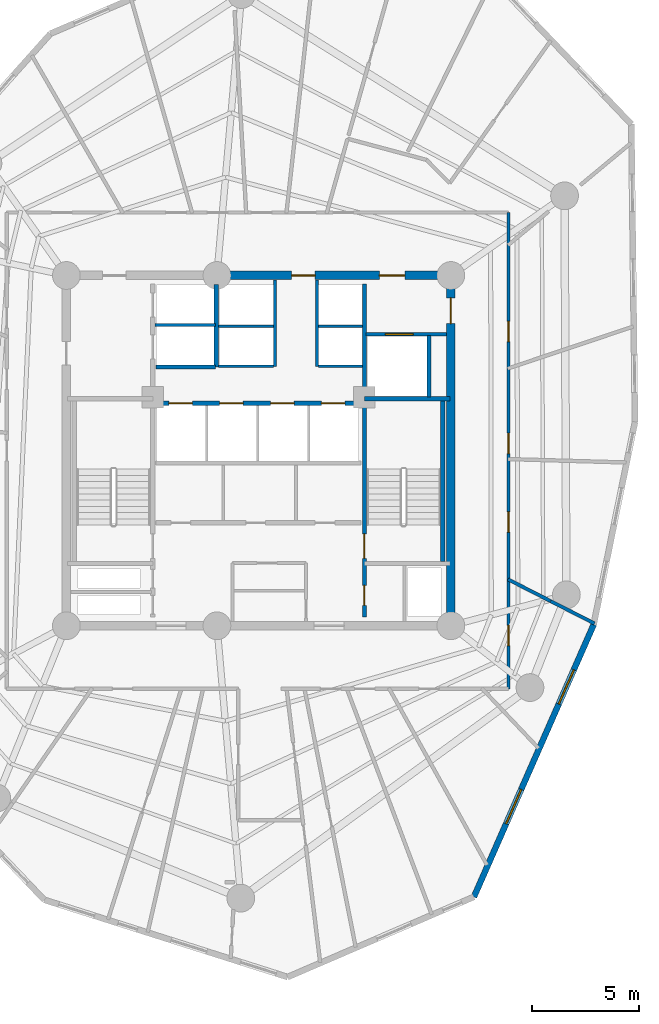
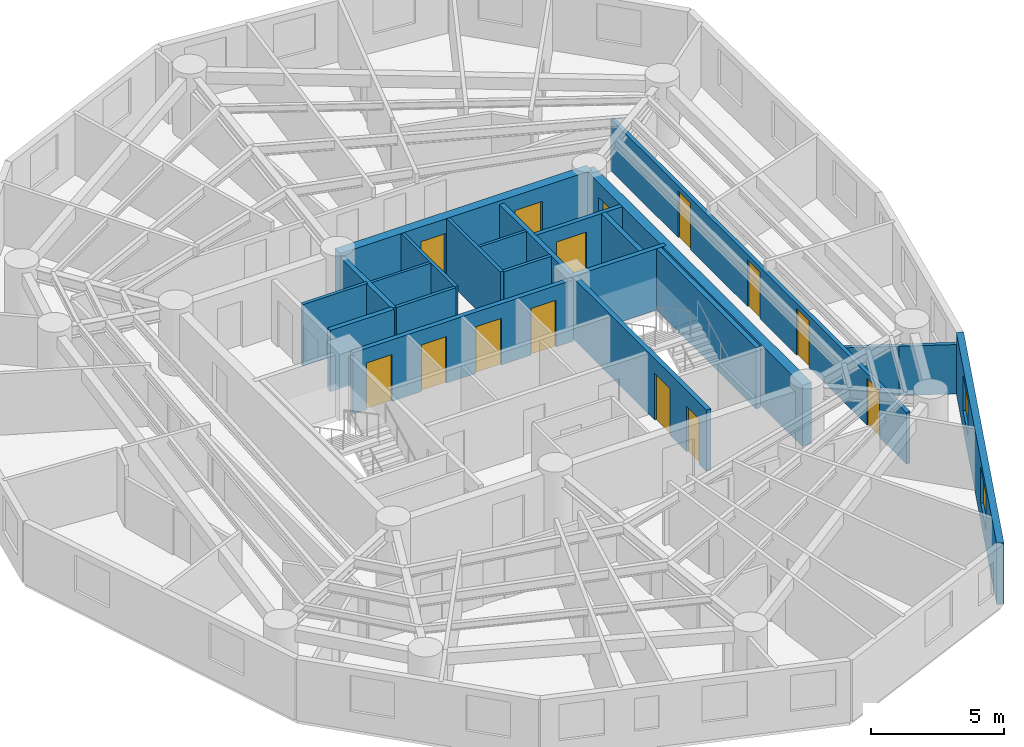
# One storey, part 5 of 8: 21 walls, 14 doors, 2 windows, 16 openings.
"""IFC4 building model written with IfcOpenShell, lengths in metres."""

import ifcopenshell
import ifcopenshell.guid

model = None  # the IFC model being written
_history = None  # IfcOwnerHistory: only IFC2X3 demands one
_inside = {}  # id of a spatial element -> (the spatial element, [elements in it])
_under = {}  # id of a project, library or spatial element -> (it, [spatial elements below it])
_declared = {}  # id of a project -> (the project, [libraries it declares])
_typed = {}  # id of a type object -> (the type object, [elements of that type])
_made_of = {}  # id of a material, layer set ... -> (it, [elements and type objects made of it])


def new_model(schema):
    """Start an empty IFC model of exactly this schema.

    Asked for "IFC4X3", IfcOpenShell would pick the latest addendum, in which some entities
    have other attributes; the version numbers below select the first issue.
    IFC2X3 requires an IfcOwnerHistory on every rooted entity: one is made here for all.
    """
    global model, _history
    if schema == "IFC4X3":
        model = ifcopenshell.file(schema_version=(4, 3, 0, 0))
    else:
        model = ifcopenshell.file(schema=schema)
    _inside.clear()
    _under.clear()
    _declared.clear()
    _typed.clear()
    _made_of.clear()
    _history = None
    if model.schema == "IFC2X3":
        org = make("IfcOrganization", Name="unknown")
        user = make(
            "IfcPersonAndOrganization",
            ThePerson=make("IfcPerson", FamilyName="unknown"),
            TheOrganization=org,
        )
        app = make(
            "IfcApplication",
            ApplicationDeveloper=org,
            Version="unknown",
            ApplicationFullName="unknown",
            ApplicationIdentifier="unknown",
        )
        _history = make(
            "IfcOwnerHistory",
            OwningUser=user,
            OwningApplication=app,
            ChangeAction="ADDED",
            CreationDate=0,
        )
    return model


def make(cls, **values):
    """One entity of the class cls with the attributes given. An attribute that is None is left unset."""
    return model.create_entity(
        cls, **{name: value for name, value in values.items() if value is not None}
    )


def rooted(cls, **values):
    """An entity with a GlobalId (a new one), such as an element, a storey or a relation."""
    return make(cls, GlobalId=ifcopenshell.guid.new(), OwnerHistory=_history, **values)


def si_unit(unit_type, name, prefix=None):
    """IfcSIUnit, for example si_unit("LENGTHUNIT", "METRE", prefix="MILLI")."""
    return make("IfcSIUnit", UnitType=unit_type, Prefix=prefix, Name=name)


def assignment(units):
    """IfcUnitAssignment: the units of a project."""
    return None if units is None else make("IfcUnitAssignment", Units=units)


def point(xyz):
    """IfcCartesianPoint."""
    return None if xyz is None else make("IfcCartesianPoint", Coordinates=xyz)


def direction(xyz):
    """IfcDirection."""
    return None if xyz is None else make("IfcDirection", DirectionRatios=xyz)


def frame(location, z_axis=None, x_axis=None):
    """IfcAxis2Placement3D, a coordinate frame: its origin and axes. An axis left out is left unset."""
    return make(
        "IfcAxis2Placement3D",
        Location=point(location),
        Axis=direction(z_axis),
        RefDirection=direction(x_axis),
    )


def frame_2d(location, x_axis=None):
    """IfcAxis2Placement2D, a coordinate frame in the plane: its origin and x axis."""
    return make(
        "IfcAxis2Placement2D", Location=point(location), RefDirection=direction(x_axis)
    )


def origin():
    """The frame at (0, 0, 0) with its axes left unset."""
    return frame((0.0, 0.0, 0.0))


def origin_with_axes():
    """The frame at (0, 0, 0) with the z axis (0, 0, 1) and the x axis (1, 0, 0) written out."""
    return frame((0.0, 0.0, 0.0), z_axis=(0.0, 0.0, 1.0), x_axis=(1.0, 0.0, 0.0))


def place(relative_to, where):
    """IfcLocalPlacement: puts the frame where relative to a parent placement (None: the world)."""
    return make(
        "IfcLocalPlacement", PlacementRelTo=relative_to, RelativePlacement=where
    )


def context(
    kind, dimensions, precision=None, world=None, true_north=None, identifier=None
):
    """IfcGeometricRepresentationContext, for example the 3D "Model" context."""
    return make(
        "IfcGeometricRepresentationContext",
        ContextIdentifier=identifier,
        ContextType=kind,
        CoordinateSpaceDimension=dimensions,
        Precision=precision,
        WorldCoordinateSystem=world,
        TrueNorth=true_north,
    )


def subcontext(parent, identifier, kind, view, scale=None):
    """IfcGeometricRepresentationSubContext, for example "Body" below "Model"."""
    return make(
        "IfcGeometricRepresentationSubContext",
        ContextIdentifier=identifier,
        ContextType=kind,
        ParentContext=parent,
        TargetScale=scale,
        TargetView=view,
    )


def project(units=None, contexts=None):
    """IfcProject with its units and contexts."""
    return rooted(
        "IfcProject",
        Name="project",
        RepresentationContexts=contexts,
        UnitsInContext=assignment(units),
    )


def spatial(cls, under=None, at=None, **own):
    """A site, building, storey or space (cls), placed at a placement, below another one or the project."""
    s = rooted(cls, ObjectPlacement=at, **own)
    if under is not None:
        _under.setdefault(under.id(), (under, []))[1].append(s)
    return s


def profile(cls, at=None, kind="AREA", **sizes):
    """A parametric profile (cls). Its sizes go by their IFC names, for example OverallWidth=200.0."""
    return make(cls, ProfileType=kind, Position=at, **sizes)


def rectangle(**sizes):
    """IfcRectangleProfileDef."""
    return profile("IfcRectangleProfileDef", **sizes)


def extrude(swept, where, along, depth):
    """IfcExtrudedAreaSolid: the profile swept, set in the frame where, extruded along a direction by depth."""
    return make(
        "IfcExtrudedAreaSolid",
        SweptArea=swept,
        Position=where,
        ExtrudedDirection=direction(along),
        Depth=depth,
    )


def shape(context_of_items, identifier, shape_type, items):
    """IfcShapeRepresentation: the items that make up one representation, for example the "Body"."""
    return make(
        "IfcShapeRepresentation",
        ContextOfItems=context_of_items,
        RepresentationIdentifier=identifier,
        RepresentationType=shape_type,
        Items=items,
    )


def source(mapping_origin, context_of_items, identifier, shape_type, items):
    """IfcRepresentationMap: a shape defined once, which mapped items show again and again."""
    return make(
        "IfcRepresentationMap",
        MappingOrigin=mapping_origin,
        MappedRepresentation=shape(context_of_items, identifier, shape_type, items),
    )


def transform(
    local_origin,
    x_axis=None,
    y_axis=None,
    z_axis=None,
    scale=None,
    scale2=None,
    scale3=None,
    uniform=True,
):
    """IfcCartesianTransformationOperator3D, or its non-uniform kind. x_axis, y_axis, z_axis: its Axis1, 2, 3."""
    if uniform:
        return make(
            "IfcCartesianTransformationOperator3D",
            Axis1=direction(x_axis),
            Axis2=direction(y_axis),
            LocalOrigin=point(local_origin),
            Scale=scale,
            Axis3=direction(z_axis),
        )
    return make(
        "IfcCartesianTransformationOperator3DnonUniform",
        Axis1=direction(x_axis),
        Axis2=direction(y_axis),
        LocalOrigin=point(local_origin),
        Scale=scale,
        Axis3=direction(z_axis),
        Scale2=scale2,
        Scale3=scale3,
    )


def mapped(mapping_source, mapping_target):
    """IfcMappedItem: shows the shape of a source again, moved by a transform."""
    return make(
        "IfcMappedItem", MappingSource=mapping_source, MappingTarget=mapping_target
    )


def material(Name=None, Category=None):
    """IfcMaterial."""
    return make("IfcMaterial", Name=Name, Category=Category)


def layer(
    of_material, thickness, ventilated=None, Name=None, Category=None, Priority=None
):
    """IfcMaterialLayer: one layer of a wall or slab, of a material (None: an air gap)."""
    return make(
        "IfcMaterialLayer",
        Material=of_material,
        LayerThickness=thickness,
        IsVentilated=ventilated,
        Name=Name,
        Category=Category,
        Priority=Priority,
    )


def layer_set(layers, Name=None):
    """IfcMaterialLayerSet."""
    return make("IfcMaterialLayerSet", MaterialLayers=layers, LayerSetName=Name)


def made_of(thing, what):
    """Note that an element or type object is made of a material, layer set ...; save() writes the relation."""
    if what is not None:
        _made_of.setdefault(what.id(), (what, []))[1].append(thing)
    return thing


def type_object(cls, material=None, **own):
    """A type object (cls), such as IfcWallType, which elements share."""
    return made_of(rooted(cls, **own), material)


def element(
    cls,
    number,
    at=None,
    inside=None,
    cuts=None,
    type_object=None,
    material=None,
    context=None,
    identifier="Body",
    shape_type=None,
    held_by="IfcProductDefinitionShape",
    body=None,
    shapes=None,
    **own,
):
    """One element of the class cls, such as IfcWall. Its Tag is "e" and its number.

    at: its placement. inside: the storey or other place that contains it. cuts: it is an
    opening in that element (IfcRelVoidsElement). A single representation is given by context,
    identifier, shape_type and body (its items); several are given by shapes. held_by: the class
    of the entity that holds the representations. save() writes the other relations.
    """
    e = rooted(cls, Tag="e%d" % number, ObjectPlacement=at, **own)
    if body is not None:
        shapes = [shape(context, identifier, shape_type, body)]
    if shapes is not None:
        e.Representation = make(held_by, Representations=shapes)
    if inside is not None:
        _inside.setdefault(inside.id(), (inside, []))[1].append(e)
    if cuts is not None:
        rooted(
            "IfcRelVoidsElement", RelatingBuildingElement=cuts, RelatedOpeningElement=e
        )
    if type_object is not None:
        _typed.setdefault(type_object.id(), (type_object, []))[1].append(e)
    return made_of(e, material)


def fill(opening, filler):
    """IfcRelFillsElement: the door or window that sits in an opening."""
    return rooted(
        "IfcRelFillsElement",
        RelatingOpeningElement=opening,
        RelatedBuildingElement=filler,
    )


def aggregate(whole, parts):
    """IfcRelAggregates: a whole, such as a stair, and the parts it consists of."""
    return rooted("IfcRelAggregates", RelatingObject=whole, RelatedObjects=parts)


def save(model, path):
    """Write the relations noted so far, then the file.

    IfcRelAggregates (storeys below a building ...), IfcRelContainedInSpatialStructure (elements
    in a storey), IfcRelDefinesByType, IfcRelAssociatesMaterial and IfcRelDeclares: one each for
    every whole, place, type object, material and project.
    """
    for whole, parts in _under.values():
        aggregate(whole, parts)
    for where, things in _inside.values():
        rooted(
            "IfcRelContainedInSpatialStructure",
            RelatedElements=things,
            RelatingStructure=where,
        )
    for kind, things in _typed.values():
        rooted("IfcRelDefinesByType", RelatedObjects=things, RelatingType=kind)
    for what, things in _made_of.values():
        rooted("IfcRelAssociatesMaterial", RelatedObjects=things, RelatingMaterial=what)
    for by, libraries in _declared.values():
        rooted("IfcRelDeclares", RelatingContext=by, RelatedDefinitions=libraries)
    model.write(path)


model = new_model("IFC4")

# Units and contexts
model_context = context("Model", 3, precision=1e-05, world=origin(), true_north=direction((0.0, 1.0)))
body_context = subcontext(model_context, "Body", "Model", "MODEL_VIEW")
ifc_project = project(units=[si_unit("LENGTHUNIT", "METRE"), si_unit("AREAUNIT", "SQUARE_METRE"), si_unit("VOLUMEUNIT", "CUBIC_METRE"), si_unit("PLANEANGLEUNIT", "RADIAN"), si_unit("MASSUNIT", "GRAM", prefix="KILO")], contexts=[model_context])

# Site, building, storey
site_placement = place(None, origin())
site = spatial("IfcSite", under=ifc_project, at=site_placement, CompositionType="ELEMENT")
building_placement = place(site_placement, origin())
building = spatial("IfcBuilding", under=site, at=building_placement, Name="Karkom Vertical University and Central Library", CompositionType="ELEMENT")
storey_placement = place(building_placement, frame((0.0, 0.0, 159.60009765625)))
storey = spatial("IfcBuildingStorey", under=building, at=storey_placement, Name="L45", CompositionType="ELEMENT", Elevation=159.60009765625)

# Wall, openings, windows
ifc_material_1 = material(Name="Brick-faced precast concrete C45/55", Category="masonry")
ifc_layer_1 = layer(ifc_material_1, 0.280029296875)
ifc_layer_set_1 = layer_set([ifc_layer_1], Name="Brick-faced precast concrete C45/55")
wall_type_1 = type_object("IfcWallType", Name="ENV-WL-BRK-280", PredefinedType="SOLIDWALL", material=ifc_layer_set_1)
wall_1_placement = place(storey_placement, frame((38.580810546875, 5.603515625, 0.0), z_axis=(0.0, 0.0, 1.0), x_axis=(0.402610654335, 0.915371324117, 0.0)))
wall_1 = element("IfcWall", 1, at=wall_1_placement, inside=storey, type_object=wall_type_1, Name="Level 45 Brick-Faced Precast Facade Wall 06", PredefinedType="SOLIDWALL", context=body_context, shape_type="SweptSolid", body=[
    extrude(rectangle(XDim=13.939208984375, YDim=0.280029296875, at=frame_2d((6.9697265625, 0.0))), origin(), (0.0, 0.0, 1.0), 2.824951171875),
])
opening_1_placement = place(wall_1_placement, frame((3.746337890625, 0.0, 0.85009765625)))
opening_1 = element("IfcOpeningElement", 2, at=opening_1_placement, cuts=wall_1, Name="Opening WN-08", PredefinedType="OPENING", context=body_context, shape_type="SweptSolid", body=[
    extrude(rectangle(XDim=1.75, YDim=1.64990234375, at=frame_2d((0.875, 0.824951171875))), frame((0.0, 0.14990234375, 0.0), z_axis=(0.0, -1.0, 0.0), x_axis=(1.0, 0.0, 0.0)), (0.0, 0.0, 1.0), 0.300048828125),
])
opening_2_placement = place(wall_1_placement, frame((9.8662109375, 0.0, 0.85009765625)))
opening_2 = element("IfcOpeningElement", 3, at=opening_2_placement, cuts=wall_1, Name="Opening WN-08", PredefinedType="OPENING", context=body_context, shape_type="SweptSolid", body=[
    extrude(rectangle(XDim=1.75, YDim=1.64990234375, at=frame_2d((0.875, 0.824951171875))), frame((0.0, 0.14990234375, 0.0), z_axis=(0.0, -1.0, 0.0), x_axis=(1.0, 0.0, 0.0)), (0.0, 0.0, 1.0), 0.300048828125),
])
ifc_material_2 = material(Name="Aluminium thermal-break frame with solar-control IGU", Category="aluminium")
window_type = type_object("IfcWindowType", Name="ENV-WIN-WN-08", PartitioningType="SINGLE_PANEL", PredefinedType="WINDOW", material=ifc_material_2)
shared_shape_1 = source(origin_with_axes(), body_context, "Body", "SweptSolid", [
    extrude(rectangle(XDim=1.75, YDim=1.64990234375, at=frame_2d((0.875, 0.824951171875))), frame((0.0, 0.030029296875, 0.0), z_axis=(0.0, -1.0, 0.0), x_axis=(1.0, 0.0, 0.0)), (0.0, 0.0, 1.0), 0.06005859375),
])
window_1_placement = place(opening_1_placement, origin())
window_1 = element("IfcWindow", 4, at=window_1_placement, inside=storey, type_object=window_type, Name="Level 45 Punched Window 6.1", OverallHeight=1.64990234375, OverallWidth=1.75, PartitioningType="SINGLE_PANEL", PredefinedType="WINDOW", context=body_context, shape_type="MappedRepresentation", body=[
    mapped(shared_shape_1, transform((0.0, 0.0, 0.0), scale=1.0)),
])
fill(opening_1, window_1)
window_2_placement = place(opening_2_placement, origin())
window_2 = element("IfcWindow", 5, at=window_2_placement, inside=storey, type_object=window_type, Name="Level 45 Punched Window 6.2", OverallHeight=1.64990234375, OverallWidth=1.75, PartitioningType="SINGLE_PANEL", PredefinedType="WINDOW", context=body_context, shape_type="MappedRepresentation", body=[
    mapped(shared_shape_1, transform((0.0, 0.0, 0.0), scale=1.0)),
])
fill(opening_2, window_2)

# Wall, openings, doors
ifc_material_3 = material(Name="Insulated metal-stud drywall 160mm", Category="gypsum")
ifc_layer_2 = layer(ifc_material_3, 0.159912109375)
ifc_layer_set_2 = layer_set([ifc_layer_2], Name="Insulated metal-stud drywall 160mm")
wall_type_2 = type_object("IfcWallType", Name="INT-WL-COR-160", PredefinedType="PARTITIONING", material=ifc_layer_set_2)
wall_2_placement = place(storey_placement, frame((40.199951171875, 37.64990234375, 0.0), z_axis=(0.0, 0.0, 1.0), x_axis=(0.0, -1.0, 0.0)))
wall_2 = element("IfcWall", 6, at=wall_2_placement, inside=storey, type_object=wall_type_2, Name="Level 45 Interior Partition Wall L45-CORW-CW-004", PredefinedType="PARTITIONING", context=body_context, shape_type="SweptSolid", body=[
    extrude(rectangle(XDim=22.2998046875, YDim=0.159912109375, at=frame_2d((11.14990234375, 0.0))), origin(), (0.0, 0.0, 1.0), 2.375),
])
opening_3_placement = place(wall_2_placement, frame((19.330078125, 0.0, 0.0)))
opening_3 = element("IfcOpeningElement", 7, at=opening_3_placement, cuts=wall_2, Name="Opening D-RM1", PredefinedType="OPENING", context=body_context, shape_type="SweptSolid", body=[
    extrude(rectangle(XDim=0.949951171875, YDim=2.14990234375, at=frame_2d((0.47509765625, 1.074951171875))), frame((0.0, 0.08984375, 0.0), z_axis=(0.0, -1.0, 0.0), x_axis=(1.0, 0.0, 0.0)), (0.0, 0.0, 1.0), 0.179931640625),
])
opening_4_placement = place(wall_2_placement, frame((14.02001953125, 0.0, 0.0)))
opening_4 = element("IfcOpeningElement", 8, at=opening_4_placement, cuts=wall_2, Name="Opening D-RM1", PredefinedType="OPENING", context=body_context, shape_type="SweptSolid", body=[
    extrude(rectangle(XDim=0.949951171875, YDim=2.14990234375, at=frame_2d((0.47509765625, 1.074951171875))), frame((0.0, 0.08984375, 0.0), z_axis=(0.0, -1.0, 0.0), x_axis=(1.0, 0.0, 0.0)), (0.0, 0.0, 1.0), 0.179931640625),
])
opening_5_placement = place(wall_2_placement, frame((10.3349609375, 0.0, 0.0)))
opening_5 = element("IfcOpeningElement", 9, at=opening_5_placement, cuts=wall_2, Name="Opening D-RM1", PredefinedType="OPENING", context=body_context, shape_type="SweptSolid", body=[
    extrude(rectangle(XDim=0.949951171875, YDim=2.14990234375, at=frame_2d((0.47509765625, 1.074951171875))), frame((0.0, 0.08984375, 0.0), z_axis=(0.0, -1.0, 0.0), x_axis=(1.0, 0.0, 0.0)), (0.0, 0.0, 1.0), 0.179931640625),
])
opening_6_placement = place(wall_2_placement, frame((5.10009765625, 0.0, 0.0)))
opening_6 = element("IfcOpeningElement", 10, at=opening_6_placement, cuts=wall_2, Name="Opening D-RM1", PredefinedType="OPENING", context=body_context, shape_type="SweptSolid", body=[
    extrude(rectangle(XDim=0.949951171875, YDim=2.14990234375, at=frame_2d((0.47509765625, 1.074951171875))), frame((0.0, 0.08984375, 0.0), z_axis=(0.0, -1.0, 0.0), x_axis=(1.0, 0.0, 0.0)), (0.0, 0.0, 1.0), 0.179931640625),
])
ifc_material_4 = material(Name="Solid-core oak veneer door", Category="wood")
door_type_1 = type_object("IfcDoorType", Name="INT-DR-RM1", OperationType="NOTDEFINED", PredefinedType="DOOR", material=ifc_material_4)
shared_shape_2 = source(origin_with_axes(), body_context, "Body", "SweptSolid", [
    extrude(rectangle(XDim=0.949951171875, YDim=2.14990234375, at=frame_2d((0.47509765625, 1.074951171875))), frame((0.0, 0.02490234375, 0.0), z_axis=(0.0, -1.0, 0.0), x_axis=(1.0, 0.0, 0.0)), (0.0, 0.0, 1.0), 0.050048828125),
])
door_1_placement = place(opening_3_placement, origin())
door_1 = element("IfcDoor", 11, at=door_1_placement, inside=storey, type_object=door_type_1, Name="Level 45 Room Entry Door 120", OperationType="SINGLE_SWING_LEFT", OverallHeight=2.14990234375, OverallWidth=0.949951171875, PredefinedType="DOOR", context=body_context, shape_type="MappedRepresentation", body=[
    mapped(shared_shape_2, transform((0.0, 0.0, 0.0), scale=1.0)),
])
fill(opening_3, door_1)
door_2_placement = place(opening_4_placement, origin())
door_2 = element("IfcDoor", 12, at=door_2_placement, inside=storey, type_object=door_type_1, Name="Level 45 Room Entry Door 130", OperationType="SINGLE_SWING_RIGHT", OverallHeight=2.14990234375, OverallWidth=0.949951171875, PredefinedType="DOOR", context=body_context, shape_type="MappedRepresentation", body=[
    mapped(shared_shape_2, transform((0.0, 0.0, 0.0), scale=1.0)),
])
fill(opening_4, door_2)
door_3_placement = place(opening_5_placement, origin())
door_3 = element("IfcDoor", 13, at=door_3_placement, inside=storey, type_object=door_type_1, Name="Level 45 Room Entry Door 140", OperationType="SINGLE_SWING_LEFT", OverallHeight=2.14990234375, OverallWidth=0.949951171875, PredefinedType="DOOR", context=body_context, shape_type="MappedRepresentation", body=[
    mapped(shared_shape_2, transform((0.0, 0.0, 0.0), scale=1.0)),
])
fill(opening_5, door_3)
door_4_placement = place(opening_6_placement, origin())
door_4 = element("IfcDoor", 14, at=door_4_placement, inside=storey, type_object=door_type_1, Name="Level 45 Room Entry Door 150", OperationType="SINGLE_SWING_RIGHT", OverallHeight=2.14990234375, OverallWidth=0.949951171875, PredefinedType="DOOR", context=body_context, shape_type="MappedRepresentation", body=[
    mapped(shared_shape_2, transform((0.0, 0.0, 0.0), scale=1.0)),
])
fill(opening_6, door_4)

# Walls
wall_3_placement = place(storey_placement, frame((40.17333984375, 20.47412109375, 0.0), z_axis=(0.0, 0.0, 1.0), x_axis=(0.890647515254, -0.454694406797, 0.0)))
element("IfcWall", 15, at=wall_3_placement, inside=storey, type_object=wall_type_2, Name="Level 45 Interior Partition Wall L45-PW-020", PredefinedType="PARTITIONING", context=body_context, shape_type="SweptSolid", body=[
    extrude(rectangle(XDim=2.24072265625, YDim=0.159912109375, at=frame_2d((1.120361328125, 0.0))), origin(), (0.0, 0.0, 1.0), 2.27490234375),
])
wall_4_placement = place(storey_placement, frame((42.173583984375, 19.453125, 0.0), z_axis=(0.0, 0.0, 1.0), x_axis=(0.89067092004, -0.454648558994, 0.0)))
element("IfcWall", 16, at=wall_4_placement, inside=storey, type_object=wall_type_2, Name="Level 45 Interior Partition Wall L45-PW-021", PredefinedType="PARTITIONING", context=body_context, shape_type="SweptSolid", body=[
    extrude(rectangle(XDim=2.306884765625, YDim=0.159912109375, at=frame_2d((1.1533203125, 0.0))), origin(), (0.0, 0.0, 1.0), 2.27490234375),
])
ifc_material_5 = material(Name="Moisture-resistant drywall 120mm", Category="gypsum")
ifc_layer_3 = layer(ifc_material_5, 0.1201171875)
ifc_layer_set_3 = layer_set([ifc_layer_3], Name="Moisture-resistant drywall 120mm")
wall_type_3 = type_object("IfcWallType", Name="INT-WL-INT-120H", PredefinedType="PARTITIONING", material=ifc_layer_set_3)
wall_5_placement = place(storey_placement, frame((26.6201171875, 32.320068359375, 0.0), z_axis=(0.0, 0.0, 1.0), x_axis=(1.0, 0.0, 0.0)))
element("IfcWall", 17, at=wall_5_placement, inside=storey, type_object=wall_type_3, Name="Level 45 Interior Partition Wall L45-CW-PH-MW", PredefinedType="PARTITIONING", context=body_context, shape_type="SweptSolid", body=[
    extrude(rectangle(XDim=2.579833984375, YDim=0.1201171875, at=frame_2d((1.2900390625, 0.0))), origin(), (0.0, 0.0, 1.0), 2.824951171875),
])
wall_6_placement = place(storey_placement, frame((31.300048828125, 32.320068359375, 0.0), z_axis=(0.0, 0.0, 1.0), x_axis=(1.0, 0.0, 0.0)))
element("IfcWall", 18, at=wall_6_placement, inside=storey, type_object=wall_type_3, Name="Level 45 Interior Partition Wall L45-CW-PH-ME", PredefinedType="PARTITIONING", context=body_context, shape_type="SweptSolid", body=[
    extrude(rectangle(XDim=2.074951171875, YDim=0.1201171875, at=frame_2d((1.03759765625, 0.0))), origin(), (0.0, 0.0, 1.0), 2.824951171875),
])
ifc_material_6 = material(Name="Metal-stud gypsum partition 140mm", Category="gypsum")
ifc_layer_4 = layer(ifc_material_6, 0.139892578125)
ifc_layer_set_4 = layer_set([ifc_layer_4], Name="Metal-stud gypsum partition 140mm")
wall_type_4 = type_object("IfcWallType", Name="INT-WL-SUB-140H", PredefinedType="PARTITIONING", material=ifc_layer_set_4)
for number, where, z_axis, x_axis, name in (
    (19, (29.260009765625, 30.449951171875, 0.0), (0.0, 0.0, 1.0), (0.0, 1.0, 0.0), "Level 45 Interior Partition Wall L45-CW-PH-W"),
    (20, (31.239990234375, 30.449951171875, 0.0), (0.0, 0.0, 1.0), (0.0, 1.0, 0.0), "Level 45 Interior Partition Wall L45-CW-PH-E"),
):
    element("IfcWall", number, at=place(storey_placement, frame(where, z_axis=z_axis, x_axis=x_axis)), inside=storey, type_object=wall_type_4, Name=name, PredefinedType="PARTITIONING", context=body_context, shape_type="SweptSolid", body=[
        extrude(rectangle(XDim=4.04296875, YDim=0.139892578125, at=frame_2d((2.021484375, 0.0))), origin(), (0.0, 0.0, 1.0), 2.824951171875),
    ])
wall_7_placement = place(storey_placement, frame((26.6201171875, 30.449951171875, 0.0), z_axis=(0.0, 0.0, 1.0), x_axis=(1.0, 0.0, 0.0)))
element("IfcWall", 21, at=wall_7_placement, inside=storey, type_object=wall_type_4, Name="Level 45 Interior Partition Wall L45-CW-PH-S1", PredefinedType="PARTITIONING", context=body_context, shape_type="SweptSolid", body=[
    extrude(rectangle(XDim=2.579833984375, YDim=0.139892578125, at=frame_2d((1.2900390625, 0.0))), origin(), (0.0, 0.0, 1.0), 2.824951171875),
])
wall_8_placement = place(storey_placement, frame((31.300048828125, 30.449951171875, 0.0), z_axis=(0.0, 0.0, 1.0), x_axis=(1.0, 0.0, 0.0)))
element("IfcWall", 22, at=wall_8_placement, inside=storey, type_object=wall_type_4, Name="Level 45 Interior Partition Wall L45-CW-PH-S2", PredefinedType="PARTITIONING", context=body_context, shape_type="SweptSolid", body=[
    extrude(rectangle(XDim=2.074951171875, YDim=0.139892578125, at=frame_2d((1.03759765625, 0.0))), origin(), (0.0, 0.0, 1.0), 2.824951171875),
])
ifc_layer_5 = layer(ifc_material_6, 0.139892578125)
ifc_layer_set_5 = layer_set([ifc_layer_5], Name="Metal-stud gypsum partition 140mm")
wall_type_5 = type_object("IfcWallType", Name="INT-WL-SUB-140X", PredefinedType="PARTITIONING", material=ifc_layer_set_5)
wall_9_placement = place(storey_placement, frame((23.652099609375, 32.3701171875, 0.0), z_axis=(0.0, 0.0, 1.0), x_axis=(1.0, 0.0, 0.0)))
element("IfcWall", 23, at=wall_9_placement, inside=storey, type_object=wall_type_5, Name="Level 45 Interior Partition Wall L45-CW-FFL-M", PredefinedType="PARTITIONING", context=body_context, shape_type="SweptSolid", body=[
    extrude(rectangle(XDim=2.827880859375, YDim=0.139892578125, at=frame_2d((1.4140625, 0.0))), origin(), (0.0, 0.0, 1.0), 2.824951171875),
])

# Wall, opening, door
ifc_material_7 = material(Name="Twin-stud acoustic drywall 180mm", Category="gypsum")
ifc_layer_6 = layer(ifc_material_7, 0.179931640625)
ifc_layer_set_6 = layer_set([ifc_layer_6], Name="Twin-stud acoustic drywall 180mm")
wall_type_6 = type_object("IfcWallType", Name="INT-WL-TEN-180F", PredefinedType="PARTITIONING", material=ifc_layer_set_6)
wall_10_placement = place(storey_placement, frame((33.534912109375, 31.949951171875, 0.0), z_axis=(0.0, 0.0, 1.0), x_axis=(1.0, 0.0, 0.0)))
wall_10 = element("IfcWall", 24, at=wall_10_placement, inside=storey, type_object=wall_type_6, Name="Level 45 Interior Partition Wall L45-CW-SVL-N", PredefinedType="PARTITIONING", context=body_context, shape_type="SweptSolid", body=[
    extrude(rectangle(XDim=3.7587890625, YDim=0.179931640625, at=frame_2d((1.87939453125, 0.0))), origin(), (0.0, 0.0, 1.0), 2.824951171875),
])
opening_7_placement = place(wall_10_placement, frame((0.89990234375, 0.0, 0.0)))
opening_7 = element("IfcOpeningElement", 25, at=opening_7_placement, cuts=wall_10, Name="Opening LD-SV1", PredefinedType="OPENING", context=body_context, shape_type="SweptSolid", body=[
    extrude(rectangle(XDim=1.300048828125, YDim=2.199951171875, at=frame_2d((0.64990234375, 1.10009765625))), frame((0.0, 0.10009765625, 0.0), z_axis=(0.0, -1.0, 0.0), x_axis=(1.0, 0.0, 0.0)), (0.0, 0.0, 1.0), 0.199951171875),
])
ifc_material_8 = material(Name="Brushed stainless-steel landing door", Category="steel")
door_type_2 = type_object("IfcDoorType", Name="INT-DR-LD-SV1", OperationType="SLIDING_TO_LEFT", PredefinedType="DOOR", material=ifc_material_8)
shared_shape_3 = source(origin_with_axes(), body_context, "Body", "SweptSolid", [
    extrude(rectangle(XDim=1.300048828125, YDim=2.199951171875, at=frame_2d((0.64990234375, 1.10009765625))), frame((0.0, 0.02490234375, 0.0), z_axis=(0.0, -1.0, 0.0), x_axis=(1.0, 0.0, 0.0)), (0.0, 0.0, 1.0), 0.050048828125),
])
door_5_placement = place(opening_7_placement, origin())
door_5 = element("IfcDoor", 26, at=door_5_placement, inside=storey, type_object=door_type_2, Name="Level 45 Service Lift Landing Door LD-SV1", OperationType="SLIDING_TO_LEFT", OverallHeight=2.199951171875, OverallWidth=1.300048828125, PredefinedType="DOOR", context=body_context, shape_type="MappedRepresentation", body=[
    mapped(shared_shape_3, transform((0.0, 0.0, 0.0), scale=1.0)),
])
fill(opening_7, door_5)

ifc_material_9 = material(Name="Concrete C50/60", Category="concrete")
ifc_layer_7 = layer(ifc_material_9, 0.39990234375)
ifc_layer_set_7 = layer_set([ifc_layer_7], Name="Concrete C50/60")
wall_type_7 = type_object("IfcWallType", Name="STR-WL-CW-400", PredefinedType="SHEAR", material=ifc_layer_set_7)
wall_11_placement = place(storey_placement, frame((37.5, 18.300048828125, 0.0), z_axis=(0.0, 0.0, 1.0), x_axis=(0.0, 1.0, 0.0)))
wall_11 = element("IfcWall", 27, at=wall_11_placement, inside=storey, type_object=wall_type_7, Name="Level 45 Central Core Shear Wall EW", PredefinedType="SHEAR", context=body_context, shape_type="SweptSolid", body=[
    extrude(rectangle(XDim=16.39990234375, YDim=0.39990234375, at=frame_2d((8.199951171875, 0.0))), origin(), (0.0, 0.0, 1.0), 2.824951171875),
])
opening_8_placement = place(wall_11_placement, frame((14.14990234375, 0.0, 0.0)))
opening_8 = element("IfcOpeningElement", 28, at=opening_8_placement, cuts=wall_11, Name="Opening FD-SUB1", PredefinedType="OPENING", context=body_context, shape_type="SweptSolid", body=[
    extrude(rectangle(XDim=1.199951171875, YDim=2.14990234375, at=frame_2d((0.60009765625, 1.074951171875))), frame((0.0, 0.2099609375, 0.0), z_axis=(0.0, -1.0, 0.0), x_axis=(1.0, 0.0, 0.0)), (0.0, 0.0, 1.0), 0.419921875),
])
ifc_material_10 = material(Name="Painted steel fire door", Category="steel")
door_type_3 = type_object("IfcDoorType", Name="INT-DR-SUB1", OperationType="NOTDEFINED", PredefinedType="DOOR", material=ifc_material_10)
shared_shape_4 = source(origin_with_axes(), body_context, "Body", "SweptSolid", [
    extrude(rectangle(XDim=1.199951171875, YDim=2.14990234375, at=frame_2d((0.60009765625, 1.074951171875))), frame((0.0, 0.02490234375, 0.0), z_axis=(0.0, -1.0, 0.0), x_axis=(1.0, 0.0, 0.0)), (0.0, 0.0, 1.0), 0.050048828125),
])
door_6_placement = place(opening_8_placement, origin())
door_6 = element("IfcDoor", 29, at=door_6_placement, inside=storey, type_object=door_type_3, Name="Level 45 East Corridor Service Lobby Door", OperationType="SINGLE_SWING_RIGHT", OverallHeight=2.14990234375, OverallWidth=1.199951171875, PredefinedType="DOOR", context=body_context, shape_type="MappedRepresentation", body=[
    mapped(shared_shape_4, transform((0.0, 0.0, 0.0), scale=1.0)),
])
fill(opening_8, door_6)

# Wall, openings, doors
wall_12_placement = place(storey_placement, frame((37.5, 34.699951171875, 0.0), z_axis=(0.0, 0.0, 1.0), x_axis=(-1.0, 0.0, 0.0)))
wall_12 = element("IfcWall", 30, at=wall_12_placement, inside=storey, type_object=wall_type_7, Name="Level 45 Central Core Shear Wall NW1", PredefinedType="SHEAR", context=body_context, shape_type="SweptSolid", body=[
    extrude(rectangle(XDim=10.949951171875, YDim=0.39990234375, at=frame_2d((5.47509765625, 0.0))), origin(), (0.0, 0.0, 1.0), 2.824951171875),
])
opening_9_placement = place(wall_12_placement, frame((2.14990234375, 0.0, 0.0)))
opening_9 = element("IfcOpeningElement", 31, at=opening_9_placement, cuts=wall_12, Name="Opening FD-SUB1", PredefinedType="OPENING", context=body_context, shape_type="SweptSolid", body=[
    extrude(rectangle(XDim=1.199951171875, YDim=2.14990234375, at=frame_2d((0.60009765625, 1.074951171875))), frame((0.0, 0.2099609375, 0.0), z_axis=(0.0, -1.0, 0.0), x_axis=(1.0, 0.0, 0.0)), (0.0, 0.0, 1.0), 0.419921875),
])
opening_10_placement = place(wall_12_placement, frame((6.35009765625, 0.0, 0.0)))
opening_10 = element("IfcOpeningElement", 32, at=opening_10_placement, cuts=wall_12, Name="Opening FD-FFL", PredefinedType="OPENING", context=body_context, shape_type="SweptSolid", body=[
    extrude(rectangle(XDim=1.10009765625, YDim=2.14990234375, at=frame_2d((0.550048828125, 1.074951171875))), frame((0.0, 0.2099609375, 0.0), z_axis=(0.0, -1.0, 0.0), x_axis=(1.0, 0.0, 0.0)), (0.0, 0.0, 1.0), 0.419921875),
])
ifc_material_11 = material(Name="Painted steel smoke-seal fire door", Category="steel")
door_type_4 = type_object("IfcDoorType", Name="INT-DR-FFL", OperationType="NOTDEFINED", PredefinedType="DOOR", material=ifc_material_11)
shared_shape_5 = source(origin_with_axes(), body_context, "Body", "SweptSolid", [
    extrude(rectangle(XDim=1.10009765625, YDim=2.14990234375, at=frame_2d((0.550048828125, 1.074951171875))), frame((0.0, 0.02490234375, 0.0), z_axis=(0.0, -1.0, 0.0), x_axis=(1.0, 0.0, 0.0)), (0.0, 0.0, 1.0), 0.050048828125),
])
door_7_placement = place(opening_10_placement, origin())
door_7 = element("IfcDoor", 33, at=door_7_placement, inside=storey, type_object=door_type_4, Name="Level 45 North Core Lobby Exit Door", OperationType="SINGLE_SWING_RIGHT", OverallHeight=2.14990234375, OverallWidth=1.10009765625, PredefinedType="DOOR", context=body_context, shape_type="MappedRepresentation", body=[
    mapped(shared_shape_5, transform((0.0, 0.0, 0.0), scale=1.0)),
])
fill(opening_10, door_7)
door_8_placement = place(opening_9_placement, origin())
door_8 = element("IfcDoor", 34, at=door_8_placement, inside=storey, type_object=door_type_3, Name="Level 45 Service Lobby Fire Door", OperationType="SINGLE_SWING_LEFT", OverallHeight=2.14990234375, OverallWidth=1.199951171875, PredefinedType="DOOR", context=body_context, shape_type="MappedRepresentation", body=[
    mapped(shared_shape_4, transform((0.0, 0.0, 0.0), scale=1.0)),
])
fill(opening_9, door_8)

ifc_material_12 = material(Name="Concrete C45/55", Category="concrete")
ifc_layer_8 = layer(ifc_material_12, 0.199951171875)
ifc_layer_set_8 = layer_set([ifc_layer_8], Name="Concrete C45/55")
wall_type_8 = type_object("IfcWallType", Name="STR-WL-ST-200", PredefinedType="SHEAR", material=ifc_layer_set_8)
wall_13_placement = place(storey_placement, frame((33.455078125, 18.699951171875, 0.0), z_axis=(0.0, 0.0, 1.0), x_axis=(0.0, 1.0, 0.0)))
wall_13 = element("IfcWall", 35, at=wall_13_placement, inside=storey, type_object=wall_type_8, Name="Level 45 Core Shaft Wall L45-CW-ST2-W", PredefinedType="SHEAR", context=body_context, shape_type="SweptSolid", body=[
    extrude(rectangle(XDim=15.60009765625, YDim=0.199951171875, at=frame_2d((7.800048828125, 0.0))), origin(), (0.0, 0.0, 1.0), 2.824951171875),
])
opening_11_placement = place(wall_13_placement, frame((2.75, 0.0, 0.0)))
opening_11 = element("IfcOpeningElement", 36, at=opening_11_placement, cuts=wall_13, Name="Opening FD-ST1", PredefinedType="OPENING", context=body_context, shape_type="SweptSolid", body=[
    extrude(rectangle(XDim=1.14990234375, YDim=2.14990234375, at=frame_2d((0.574951171875, 1.074951171875))), frame((0.0, 0.10986328125, 0.0), z_axis=(0.0, -1.0, 0.0), x_axis=(1.0, 0.0, 0.0)), (0.0, 0.0, 1.0), 0.219970703125),
])
opening_12_placement = place(wall_13_placement, frame((0.550048828125, 0.0, 0.0)))
opening_12 = element("IfcOpeningElement", 37, at=opening_12_placement, cuts=wall_13, Name="Opening D-WC1", PredefinedType="OPENING", context=body_context, shape_type="SweptSolid", body=[
    extrude(rectangle(XDim=0.93994140625, YDim=2.10009765625, at=frame_2d((0.469970703125, 1.050048828125))), frame((0.0, 0.10986328125, 0.0), z_axis=(0.0, -1.0, 0.0), x_axis=(1.0, 0.0, 0.0)), (0.0, 0.0, 1.0), 0.219970703125),
])
ifc_material_13 = material(Name="Painted steel acoustic fire door", Category="steel")
door_type_5 = type_object("IfcDoorType", Name="INT-DR-ST1", OperationType="NOTDEFINED", PredefinedType="DOOR", material=ifc_material_13)
shared_shape_6 = source(origin_with_axes(), body_context, "Body", "SweptSolid", [
    extrude(rectangle(XDim=1.14990234375, YDim=2.14990234375, at=frame_2d((0.574951171875, 1.074951171875))), frame((0.0, 0.02490234375, 0.0), z_axis=(0.0, -1.0, 0.0), x_axis=(1.0, 0.0, 0.0)), (0.0, 0.0, 1.0), 0.050048828125),
])
door_9_placement = place(opening_11_placement, origin())
door_9 = element("IfcDoor", 38, at=door_9_placement, inside=storey, type_object=door_type_5, Name="Level 45 Stair ST-2 Fire Door", OperationType="SINGLE_SWING_LEFT", OverallHeight=2.14990234375, OverallWidth=1.14990234375, PredefinedType="DOOR", context=body_context, shape_type="MappedRepresentation", body=[
    mapped(shared_shape_6, transform((0.0, 0.0, 0.0), scale=1.0)),
])
fill(opening_11, door_9)
ifc_material_14 = material(Name="Fire-rated laminate moisture-resistant door", Category="wood")
door_type_6 = type_object("IfcDoorType", Name="INT-DR-WC1", OperationType="NOTDEFINED", PredefinedType="DOOR", material=ifc_material_14)
shared_shape_7 = source(origin_with_axes(), body_context, "Body", "SweptSolid", [
    extrude(rectangle(XDim=0.93994140625, YDim=2.10009765625, at=frame_2d((0.469970703125, 1.050048828125))), frame((0.0, 0.02490234375, 0.0), z_axis=(0.0, -1.0, 0.0), x_axis=(1.0, 0.0, 0.0)), (0.0, 0.0, 1.0), 0.050048828125),
])
door_10_placement = place(opening_12_placement, origin())
door_10 = element("IfcDoor", 39, at=door_10_placement, inside=storey, type_object=door_type_6, Name="Level 45 Accessible WC Door", OperationType="SINGLE_SWING_RIGHT", OverallHeight=2.10009765625, OverallWidth=0.93994140625, PredefinedType="DOOR", context=body_context, shape_type="MappedRepresentation", body=[
    mapped(shared_shape_7, transform((0.0, 0.0, 0.0), scale=1.0)),
])
fill(opening_12, door_10)

wall_14_placement = place(storey_placement, frame((23.699951171875, 28.719970703125, 0.0), z_axis=(0.0, 0.0, 1.0), x_axis=(1.0, 0.0, 0.0)))
wall_14 = element("IfcWall", 40, at=wall_14_placement, inside=storey, type_object=wall_type_8, Name="Level 45 Core Shaft Wall L45-CW-B2-N", PredefinedType="SHEAR", context=body_context, shape_type="SweptSolid", body=[
    extrude(rectangle(XDim=9.60009765625, YDim=0.199951171875, at=frame_2d((4.800048828125, 0.0))), origin(), (0.0, 0.0, 1.0), 2.824951171875),
])
opening_13_placement = place(wall_14_placement, frame((0.60009765625, 0.0, 0.0)))
opening_13 = element("IfcOpeningElement", 41, at=opening_13_placement, cuts=wall_14, Name="Opening LD-PAX", PredefinedType="OPENING", context=body_context, shape_type="SweptSolid", body=[
    extrude(rectangle(XDim=1.10009765625, YDim=2.14990234375, at=frame_2d((0.550048828125, 1.074951171875))), frame((0.0, 0.10986328125, 0.0), z_axis=(0.0, -1.0, 0.0), x_axis=(1.0, 0.0, 0.0)), (0.0, 0.0, 1.0), 0.219970703125),
])
opening_14_placement = place(wall_14_placement, frame((2.97998046875, 0.0, 0.0)))
opening_14 = element("IfcOpeningElement", 42, at=opening_14_placement, cuts=wall_14, Name="Opening LD-PAX", PredefinedType="OPENING", context=body_context, shape_type="SweptSolid", body=[
    extrude(rectangle(XDim=1.10009765625, YDim=2.14990234375, at=frame_2d((0.550048828125, 1.074951171875))), frame((0.0, 0.10986328125, 0.0), z_axis=(0.0, -1.0, 0.0), x_axis=(1.0, 0.0, 0.0)), (0.0, 0.0, 1.0), 0.219970703125),
])
opening_15_placement = place(wall_14_placement, frame((5.360107421875, 0.0, 0.0)))
opening_15 = element("IfcOpeningElement", 43, at=opening_15_placement, cuts=wall_14, Name="Opening LD-PAX", PredefinedType="OPENING", context=body_context, shape_type="SweptSolid", body=[
    extrude(rectangle(XDim=1.10009765625, YDim=2.14990234375, at=frame_2d((0.550048828125, 1.074951171875))), frame((0.0, 0.10986328125, 0.0), z_axis=(0.0, -1.0, 0.0), x_axis=(1.0, 0.0, 0.0)), (0.0, 0.0, 1.0), 0.219970703125),
])
opening_16_placement = place(wall_14_placement, frame((7.739990234375, 0.0, 0.0)))
opening_16 = element("IfcOpeningElement", 44, at=opening_16_placement, cuts=wall_14, Name="Opening LD-PAX", PredefinedType="OPENING", context=body_context, shape_type="SweptSolid", body=[
    extrude(rectangle(XDim=1.10009765625, YDim=2.14990234375, at=frame_2d((0.550048828125, 1.074951171875))), frame((0.0, 0.10986328125, 0.0), z_axis=(0.0, -1.0, 0.0), x_axis=(1.0, 0.0, 0.0)), (0.0, 0.0, 1.0), 0.219970703125),
])
door_type_7 = type_object("IfcDoorType", Name="INT-DR-LD-PAX", OperationType="SLIDING_TO_LEFT", PredefinedType="DOOR", material=ifc_material_8)
door_11_placement = place(opening_13_placement, origin())
door_11 = element("IfcDoor", 45, at=door_11_placement, inside=storey, type_object=door_type_7, Name="Level 45 Lift PM-1 Landing Door", OperationType="SLIDING_TO_LEFT", OverallHeight=2.14990234375, OverallWidth=1.10009765625, PredefinedType="DOOR", context=body_context, shape_type="MappedRepresentation", body=[
    mapped(shared_shape_5, transform((0.0, 0.0, 0.0), scale=1.0)),
])
fill(opening_13, door_11)
door_12_placement = place(opening_14_placement, origin())
door_12 = element("IfcDoor", 46, at=door_12_placement, inside=storey, type_object=door_type_7, Name="Level 45 Lift PM-2 Landing Door", OperationType="SLIDING_TO_RIGHT", OverallHeight=2.14990234375, OverallWidth=1.10009765625, PredefinedType="DOOR", context=body_context, shape_type="MappedRepresentation", body=[
    mapped(shared_shape_5, transform((0.0, 0.0, 0.0), scale=1.0)),
])
fill(opening_14, door_12)
door_13_placement = place(opening_15_placement, origin())
door_13 = element("IfcDoor", 47, at=door_13_placement, inside=storey, type_object=door_type_7, Name="Level 45 Lift PM-3 Landing Door", OperationType="SLIDING_TO_LEFT", OverallHeight=2.14990234375, OverallWidth=1.10009765625, PredefinedType="DOOR", context=body_context, shape_type="MappedRepresentation", body=[
    mapped(shared_shape_5, transform((0.0, 0.0, 0.0), scale=1.0)),
])
fill(opening_15, door_13)
door_14_placement = place(opening_16_placement, origin())
door_14 = element("IfcDoor", 48, at=door_14_placement, inside=storey, type_object=door_type_7, Name="Level 45 Lift PM-4 Landing Door", OperationType="SLIDING_TO_RIGHT", OverallHeight=2.14990234375, OverallWidth=1.10009765625, PredefinedType="DOOR", context=body_context, shape_type="MappedRepresentation", body=[
    mapped(shared_shape_5, transform((0.0, 0.0, 0.0), scale=1.0)),
])
fill(opening_16, door_14)

# Walls
wall_15_placement = place(storey_placement, frame((37.125, 21.320068359375, 0.0), z_axis=(0.0, 0.0, 1.0), x_axis=(0.0, 1.0, 0.0)))
element("IfcWall", 49, at=wall_15_placement, inside=storey, type_object=wall_type_8, Name="Level 45 Core Shaft Wall L45-CW-ST2-E", PredefinedType="SHEAR", context=body_context, shape_type="SweptSolid", body=[
    extrude(rectangle(XDim=7.5, YDim=0.199951171875, at=frame_2d((3.75, 0.0))), origin(), (0.0, 0.0, 1.0), 2.824951171875),
])
wall_16_placement = place(storey_placement, frame((33.455078125, 28.925048828125, 0.0), z_axis=(0.0, 0.0, 1.0), x_axis=(1.0, 0.0, 0.0)))
element("IfcWall", 50, at=wall_16_placement, inside=storey, type_object=wall_type_8, Name="Level 45 Core Shaft Wall L45-CW-ST2-N", PredefinedType="SHEAR", context=body_context, shape_type="SweptSolid", body=[
    extrude(rectangle(XDim=3.994873046875, YDim=0.199951171875, at=frame_2d((1.99755859375, 0.0))), origin(), (0.0, 0.0, 1.0), 2.824951171875),
])
wall_17_placement = place(storey_placement, frame((26.52001953125, 30.419921875, 0.0), z_axis=(0.0, 0.0, 1.0), x_axis=(0.0, 1.0, 0.0)))
element("IfcWall", 51, at=wall_17_placement, inside=storey, type_object=wall_type_8, Name="Level 45 Core Shaft Wall L45-CW-FFL-E", PredefinedType="SHEAR", context=body_context, shape_type="SweptSolid", body=[
    extrude(rectangle(XDim=3.860107421875, YDim=0.199951171875, at=frame_2d((1.93017578125, 0.0))), origin(), (0.0, 0.0, 1.0), 2.824951171875),
])
wall_18_placement = place(storey_placement, frame((36.47998046875, 29.02001953125, 0.0), z_axis=(0.0, 0.0, 1.0), x_axis=(0.0, 1.0, 0.0)))
element("IfcWall", 52, at=wall_18_placement, inside=storey, type_object=wall_type_8, Name="Level 45 Core Shaft Wall L45-CW-SVL-E", PredefinedType="SHEAR", context=body_context, shape_type="SweptSolid", body=[
    extrude(rectangle(XDim=2.85986328125, YDim=0.199951171875, at=frame_2d((1.429931640625, 0.0))), origin(), (0.0, 0.0, 1.0), 2.824951171875),
])
wall_19_placement = place(storey_placement, frame((23.699951171875, 30.419921875, 0.0), z_axis=(0.0, 0.0, 1.0), x_axis=(1.0, 0.0, 0.0)))
element("IfcWall", 53, at=wall_19_placement, inside=storey, type_object=wall_type_8, Name="Level 45 Core Shaft Wall L45-CW-FFL-S", PredefinedType="SHEAR", context=body_context, shape_type="SweptSolid", body=[
    extrude(rectangle(XDim=2.780029296875, YDim=0.199951171875, at=frame_2d((1.39013671875, 0.0))), origin(), (0.0, 0.0, 1.0), 2.824951171875),
])

save(model, "model.ifc")
